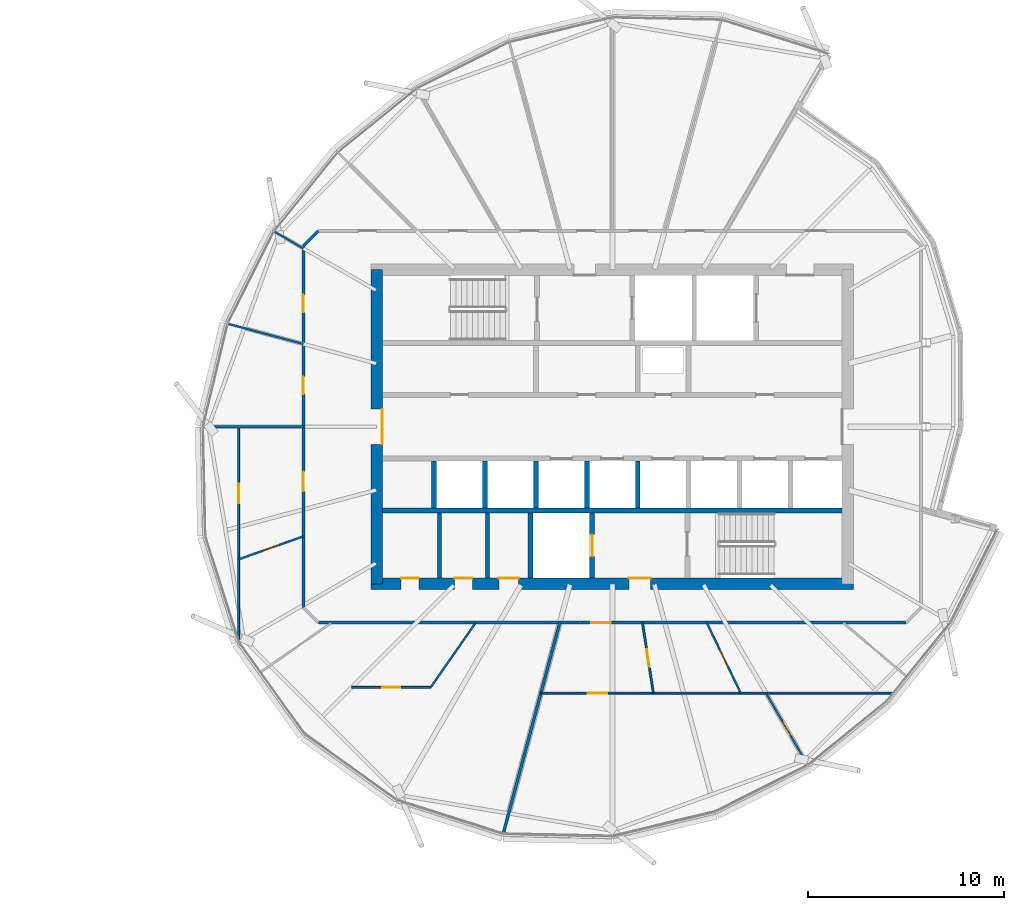
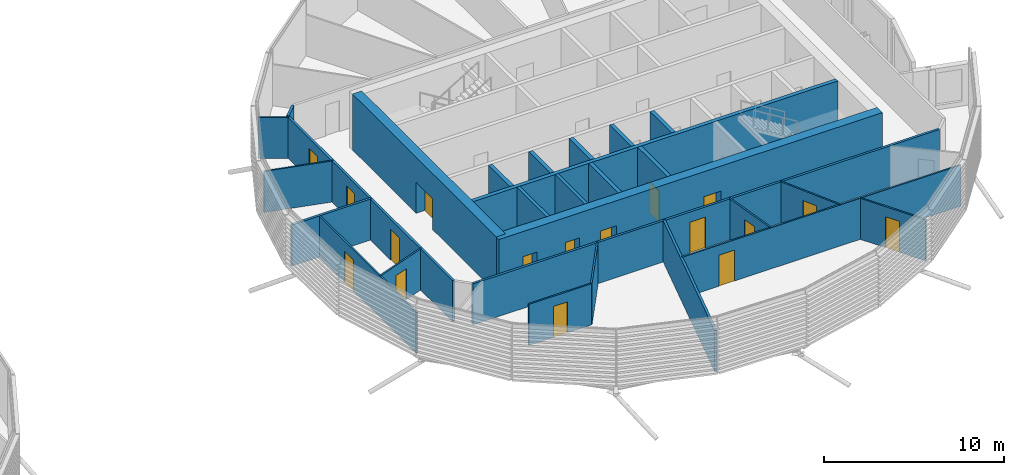
# One storey, part 21 of 37: 28 walls, 17 doors, 17 openings.
"""IFC4 building model written with IfcOpenShell, lengths in metres."""

import ifcopenshell
import ifcopenshell.guid

model = None  # the IFC model being written
_history = None  # IfcOwnerHistory: only IFC2X3 demands one
_inside = {}  # id of a spatial element -> (the spatial element, [elements in it])
_under = {}  # id of a project, library or spatial element -> (it, [spatial elements below it])
_declared = {}  # id of a project -> (the project, [libraries it declares])
_typed = {}  # id of a type object -> (the type object, [elements of that type])
_made_of = {}  # id of a material, layer set ... -> (it, [elements and type objects made of it])


def new_model(schema):
    """Start an empty IFC model of exactly this schema.

    Asked for "IFC4X3", IfcOpenShell would pick the latest addendum, in which some entities
    have other attributes; the version numbers below select the first issue.
    IFC2X3 requires an IfcOwnerHistory on every rooted entity: one is made here for all.
    """
    global model, _history
    if schema == "IFC4X3":
        model = ifcopenshell.file(schema_version=(4, 3, 0, 0))
    else:
        model = ifcopenshell.file(schema=schema)
    _inside.clear()
    _under.clear()
    _declared.clear()
    _typed.clear()
    _made_of.clear()
    _history = None
    if model.schema == "IFC2X3":
        org = make("IfcOrganization", Name="unknown")
        user = make(
            "IfcPersonAndOrganization",
            ThePerson=make("IfcPerson", FamilyName="unknown"),
            TheOrganization=org,
        )
        app = make(
            "IfcApplication",
            ApplicationDeveloper=org,
            Version="unknown",
            ApplicationFullName="unknown",
            ApplicationIdentifier="unknown",
        )
        _history = make(
            "IfcOwnerHistory",
            OwningUser=user,
            OwningApplication=app,
            ChangeAction="ADDED",
            CreationDate=0,
        )
    return model


def make(cls, **values):
    """One entity of the class cls with the attributes given. An attribute that is None is left unset."""
    return model.create_entity(
        cls, **{name: value for name, value in values.items() if value is not None}
    )


def rooted(cls, **values):
    """An entity with a GlobalId (a new one), such as an element, a storey or a relation."""
    return make(cls, GlobalId=ifcopenshell.guid.new(), OwnerHistory=_history, **values)


def si_unit(unit_type, name, prefix=None):
    """IfcSIUnit, for example si_unit("LENGTHUNIT", "METRE", prefix="MILLI")."""
    return make("IfcSIUnit", UnitType=unit_type, Prefix=prefix, Name=name)


def assignment(units):
    """IfcUnitAssignment: the units of a project."""
    return None if units is None else make("IfcUnitAssignment", Units=units)


def point(xyz):
    """IfcCartesianPoint."""
    return None if xyz is None else make("IfcCartesianPoint", Coordinates=xyz)


def direction(xyz):
    """IfcDirection."""
    return None if xyz is None else make("IfcDirection", DirectionRatios=xyz)


def frame(location, z_axis=None, x_axis=None):
    """IfcAxis2Placement3D, a coordinate frame: its origin and axes. An axis left out is left unset."""
    return make(
        "IfcAxis2Placement3D",
        Location=point(location),
        Axis=direction(z_axis),
        RefDirection=direction(x_axis),
    )


def frame_2d(location, x_axis=None):
    """IfcAxis2Placement2D, a coordinate frame in the plane: its origin and x axis."""
    return make(
        "IfcAxis2Placement2D", Location=point(location), RefDirection=direction(x_axis)
    )


def origin():
    """The frame at (0, 0, 0) with its axes left unset."""
    return frame((0.0, 0.0, 0.0))


def place(relative_to, where):
    """IfcLocalPlacement: puts the frame where relative to a parent placement (None: the world)."""
    return make(
        "IfcLocalPlacement", PlacementRelTo=relative_to, RelativePlacement=where
    )


def context(
    kind, dimensions, precision=None, world=None, true_north=None, identifier=None
):
    """IfcGeometricRepresentationContext, for example the 3D "Model" context."""
    return make(
        "IfcGeometricRepresentationContext",
        ContextIdentifier=identifier,
        ContextType=kind,
        CoordinateSpaceDimension=dimensions,
        Precision=precision,
        WorldCoordinateSystem=world,
        TrueNorth=true_north,
    )


def subcontext(parent, identifier, kind, view, scale=None):
    """IfcGeometricRepresentationSubContext, for example "Body" below "Model"."""
    return make(
        "IfcGeometricRepresentationSubContext",
        ContextIdentifier=identifier,
        ContextType=kind,
        ParentContext=parent,
        TargetScale=scale,
        TargetView=view,
    )


def project(units=None, contexts=None):
    """IfcProject with its units and contexts."""
    return rooted(
        "IfcProject",
        Name="project",
        RepresentationContexts=contexts,
        UnitsInContext=assignment(units),
    )


def spatial(cls, under=None, at=None, **own):
    """A site, building, storey or space (cls), placed at a placement, below another one or the project."""
    s = rooted(cls, ObjectPlacement=at, **own)
    if under is not None:
        _under.setdefault(under.id(), (under, []))[1].append(s)
    return s


def profile(cls, at=None, kind="AREA", **sizes):
    """A parametric profile (cls). Its sizes go by their IFC names, for example OverallWidth=200.0."""
    return make(cls, ProfileType=kind, Position=at, **sizes)


def rectangle(**sizes):
    """IfcRectangleProfileDef."""
    return profile("IfcRectangleProfileDef", **sizes)


def extrude(swept, where, along, depth):
    """IfcExtrudedAreaSolid: the profile swept, set in the frame where, extruded along a direction by depth."""
    return make(
        "IfcExtrudedAreaSolid",
        SweptArea=swept,
        Position=where,
        ExtrudedDirection=direction(along),
        Depth=depth,
    )


def shape(context_of_items, identifier, shape_type, items):
    """IfcShapeRepresentation: the items that make up one representation, for example the "Body"."""
    return make(
        "IfcShapeRepresentation",
        ContextOfItems=context_of_items,
        RepresentationIdentifier=identifier,
        RepresentationType=shape_type,
        Items=items,
    )


def material(Name=None, Category=None):
    """IfcMaterial."""
    return make("IfcMaterial", Name=Name, Category=Category)


def layer(
    of_material, thickness, ventilated=None, Name=None, Category=None, Priority=None
):
    """IfcMaterialLayer: one layer of a wall or slab, of a material (None: an air gap)."""
    return make(
        "IfcMaterialLayer",
        Material=of_material,
        LayerThickness=thickness,
        IsVentilated=ventilated,
        Name=Name,
        Category=Category,
        Priority=Priority,
    )


def layer_set(layers, Name=None):
    """IfcMaterialLayerSet."""
    return make("IfcMaterialLayerSet", MaterialLayers=layers, LayerSetName=Name)


def made_of(thing, what):
    """Note that an element or type object is made of a material, layer set ...; save() writes the relation."""
    if what is not None:
        _made_of.setdefault(what.id(), (what, []))[1].append(thing)
    return thing


def type_object(cls, material=None, **own):
    """A type object (cls), such as IfcWallType, which elements share."""
    return made_of(rooted(cls, **own), material)


def element(
    cls,
    number,
    at=None,
    inside=None,
    cuts=None,
    type_object=None,
    material=None,
    context=None,
    identifier="Body",
    shape_type=None,
    held_by="IfcProductDefinitionShape",
    body=None,
    shapes=None,
    **own,
):
    """One element of the class cls, such as IfcWall. Its Tag is "e" and its number.

    at: its placement. inside: the storey or other place that contains it. cuts: it is an
    opening in that element (IfcRelVoidsElement). A single representation is given by context,
    identifier, shape_type and body (its items); several are given by shapes. held_by: the class
    of the entity that holds the representations. save() writes the other relations.
    """
    e = rooted(cls, Tag="e%d" % number, ObjectPlacement=at, **own)
    if body is not None:
        shapes = [shape(context, identifier, shape_type, body)]
    if shapes is not None:
        e.Representation = make(held_by, Representations=shapes)
    if inside is not None:
        _inside.setdefault(inside.id(), (inside, []))[1].append(e)
    if cuts is not None:
        rooted(
            "IfcRelVoidsElement", RelatingBuildingElement=cuts, RelatedOpeningElement=e
        )
    if type_object is not None:
        _typed.setdefault(type_object.id(), (type_object, []))[1].append(e)
    return made_of(e, material)


def fill(opening, filler):
    """IfcRelFillsElement: the door or window that sits in an opening."""
    return rooted(
        "IfcRelFillsElement",
        RelatingOpeningElement=opening,
        RelatedBuildingElement=filler,
    )


def aggregate(whole, parts):
    """IfcRelAggregates: a whole, such as a stair, and the parts it consists of."""
    return rooted("IfcRelAggregates", RelatingObject=whole, RelatedObjects=parts)


def save(model, path):
    """Write the relations noted so far, then the file.

    IfcRelAggregates (storeys below a building ...), IfcRelContainedInSpatialStructure (elements
    in a storey), IfcRelDefinesByType, IfcRelAssociatesMaterial and IfcRelDeclares: one each for
    every whole, place, type object, material and project.
    """
    for whole, parts in _under.values():
        aggregate(whole, parts)
    for where, things in _inside.values():
        rooted(
            "IfcRelContainedInSpatialStructure",
            RelatedElements=things,
            RelatingStructure=where,
        )
    for kind, things in _typed.values():
        rooted("IfcRelDefinesByType", RelatedObjects=things, RelatingType=kind)
    for what, things in _made_of.values():
        rooted("IfcRelAssociatesMaterial", RelatedObjects=things, RelatingMaterial=what)
    for by, libraries in _declared.values():
        rooted("IfcRelDeclares", RelatingContext=by, RelatedDefinitions=libraries)
    model.write(path)


model = new_model("IFC4")

# Units and contexts
model_context = context("Model", 3, precision=1e-05, world=origin(), true_north=direction((0.0, 1.0)))
body_context = subcontext(model_context, "Body", "Model", "MODEL_VIEW")
ifc_project = project(units=[si_unit("LENGTHUNIT", "METRE"), si_unit("AREAUNIT", "SQUARE_METRE"), si_unit("VOLUMEUNIT", "CUBIC_METRE"), si_unit("PLANEANGLEUNIT", "RADIAN"), si_unit("MASSUNIT", "GRAM", prefix="KILO")], contexts=[model_context])

# Site, building, storey
site_placement = place(None, origin())
site = spatial("IfcSite", under=ifc_project, at=site_placement, CompositionType="ELEMENT")
building_placement = place(site_placement, origin())
building = spatial("IfcBuilding", under=site, at=building_placement, Name="Rimbun Link Towers", CompositionType="ELEMENT")
storey_placement = place(building_placement, frame((0.0, 0.0, 177.89990234375)))
storey = spatial("IfcBuildingStorey", under=building, at=storey_placement, Name="L43", CompositionType="ELEMENT", Elevation=177.89990234375)

# Walls
ifc_material_1 = material(Name="Masonry blockwork", Category="masonry")
ifc_layer_1 = layer(ifc_material_1, 0.199951171875)
ifc_layer_set_1 = layer_set([ifc_layer_1], Name="Core partition 200")
wall_type_1 = type_object("IfcWallType", Name="Core partition 200", PredefinedType="PARTITIONING", material=ifc_layer_set_1)
for number, where, z_axis, x_axis, name in (
    (1, (22.949951171875, -4.39990234375, 0.0), (0.0, 0.0, 1.0), (0.0, -1.0, 0.0), "L43 T2 core wall C1"),
    (2, (25.39990234375, -4.39990234375, 0.0), (0.0, 0.0, 1.0), (0.0, -1.0, 0.0), "L43 T2 core wall C2"),
):
    element("IfcWall", number, at=place(storey_placement, frame(where, z_axis=z_axis, x_axis=x_axis)), inside=storey, type_object=wall_type_1, Name=name, PredefinedType="PARTITIONING", context=body_context, shape_type="SweptSolid", body=[
        extrude(rectangle(XDim=3.300048828125, YDim=0.199951171875, at=frame_2d((1.64990234375, 0.0))), origin(), (0.0, 0.0, 1.0), 3.800048828125),
    ])

# Wall, openings, doors
ifc_material_2 = material(Name="Concrete C60/75", Category="concrete")
ifc_layer_2 = layer(ifc_material_2, 0.60009765625)
ifc_layer_set_2 = layer_set([ifc_layer_2], Name="Core shear wall 600")
wall_type_2 = type_object("IfcWallType", Name="Core shear wall 600", PredefinedType="SHEAR", material=ifc_layer_set_2)
wall_1_placement = place(storey_placement, frame((19.449951171875, -8.0, 0.0), z_axis=(0.0, 0.0, 1.0), x_axis=(1.0, 0.0, 0.0)))
wall_1 = element("IfcWall", 3, at=wall_1_placement, inside=storey, type_object=wall_type_2, Name="L43 T2 core wall S", PredefinedType="SHEAR", context=body_context, shape_type="SweptSolid", body=[
    extrude(rectangle(XDim=24.60009765625, YDim=0.60009765625, at=frame_2d((12.300048828125, 0.0))), origin(), (0.0, 0.0, 1.0), 3.800048828125),
])
opening_1_placement = place(wall_1_placement, frame((13.14990234375, 0.0, 0.0)))
opening_1 = element("IfcOpeningElement", 4, at=opening_1_placement, cuts=wall_1, Name="Opening C2DCF01S", PredefinedType="OPENING", context=body_context, shape_type="SweptSolid", body=[
    extrude(rectangle(XDim=1.10009765625, YDim=2.10009765625, at=frame_2d((0.550048828125, 1.050048828125))), frame((0.0, 0.31005859375, 0.0), z_axis=(0.0, -1.0, 0.0), x_axis=(1.0, 0.0, 0.0)), (0.0, 0.0, 1.0), 0.6201171875),
])
opening_2_placement = place(wall_1_placement, frame((1.550048828125, 0.0, 0.0)))
opening_2 = element("IfcOpeningElement", 5, at=opening_2_placement, cuts=wall_1, Name="Opening C2DWC02S", PredefinedType="OPENING", context=body_context, shape_type="SweptSolid", body=[
    extrude(rectangle(XDim=0.89990234375, YDim=2.10009765625, at=frame_2d((0.449951171875, 1.050048828125))), frame((0.0, 0.31005859375, 0.0), z_axis=(0.0, -1.0, 0.0), x_axis=(1.0, 0.0, 0.0)), (0.0, 0.0, 1.0), 0.6201171875),
])
opening_3_placement = place(wall_1_placement, frame((4.27490234375, 0.0, 0.0)))
opening_3 = element("IfcOpeningElement", 6, at=opening_3_placement, cuts=wall_1, Name="Opening C2DWC03S", PredefinedType="OPENING", context=body_context, shape_type="SweptSolid", body=[
    extrude(rectangle(XDim=0.89990234375, YDim=2.10009765625, at=frame_2d((0.449951171875, 1.050048828125))), frame((0.0, 0.31005859375, 0.0), z_axis=(0.0, -1.0, 0.0), x_axis=(1.0, 0.0, 0.0)), (0.0, 0.0, 1.0), 0.6201171875),
])
opening_4_placement = place(wall_1_placement, frame((6.52490234375, 0.0, 0.0)))
opening_4 = element("IfcOpeningElement", 7, at=opening_4_placement, cuts=wall_1, Name="Opening C2DAW04S", PredefinedType="OPENING", context=body_context, shape_type="SweptSolid", body=[
    extrude(rectangle(XDim=1.0, YDim=2.10009765625, at=frame_2d((0.5, 1.050048828125))), frame((0.0, 0.31005859375, 0.0), z_axis=(0.0, -1.0, 0.0), x_axis=(1.0, 0.0, 0.0)), (0.0, 0.0, 1.0), 0.6201171875),
])
ifc_material_3 = material(Name="Timber", Category="wood")
door_type_1 = type_object("IfcDoorType", Name="Accessible WC door", OperationType="SINGLE_SWING_LEFT", PredefinedType="DOOR", material=ifc_material_3)
door_1_placement = place(opening_4_placement, origin())
door_1 = element("IfcDoor", 8, at=door_1_placement, inside=storey, type_object=door_type_1, Name="L43 T2 accessible wc door", OperationType="SINGLE_SWING_RIGHT", OverallHeight=2.10009765625, OverallWidth=1.0, PredefinedType="DOOR", context=body_context, shape_type="SweptSolid", body=[
    extrude(rectangle(XDim=1.0, YDim=2.10009765625, at=frame_2d((0.5, 1.050048828125))), frame((0.0, 0.2998046875, 0.0), z_axis=(0.0, -1.0, 0.0), x_axis=(1.0, 0.0, 0.0)), (0.0, 0.0, 1.0), 0.050048828125),
])
fill(opening_4, door_1)
ifc_material_4 = material(Name="Steel fire door set", Category="steel")
door_type_2 = type_object("IfcDoorType", Name="Core fire door single", OperationType="SINGLE_SWING_LEFT", PredefinedType="DOOR", material=ifc_material_4)
door_2_placement = place(opening_1_placement, origin())
door_2 = element("IfcDoor", 9, at=door_2_placement, inside=storey, type_object=door_type_2, Name="L43 T2 firefighting lobby s door", OperationType="SINGLE_SWING_RIGHT", OverallHeight=2.10009765625, OverallWidth=1.10009765625, PredefinedType="DOOR", context=body_context, shape_type="SweptSolid", body=[
    extrude(rectangle(XDim=1.10009765625, YDim=2.10009765625, at=frame_2d((0.550048828125, 1.050048828125))), frame((0.0, 0.2998046875, 0.0), z_axis=(0.0, -1.0, 0.0), x_axis=(1.0, 0.0, 0.0)), (0.0, 0.0, 1.0), 0.050048828125),
])
fill(opening_1, door_2)
ifc_material_5 = material(Name="Timber", Category="wood")
door_type_3 = type_object("IfcDoorType", Name="WC door", OperationType="SINGLE_SWING_LEFT", PredefinedType="DOOR", material=ifc_material_5)
door_3_placement = place(opening_2_placement, origin())
door_3 = element("IfcDoor", 10, at=door_3_placement, inside=storey, type_object=door_type_3, Name="L43 T2 male wc door", OperationType="SINGLE_SWING_LEFT", OverallHeight=2.10009765625, OverallWidth=0.89990234375, PredefinedType="DOOR", context=body_context, shape_type="SweptSolid", body=[
    extrude(rectangle(XDim=0.89990234375, YDim=2.10009765625, at=frame_2d((0.449951171875, 1.050048828125))), frame((0.0, 0.2998046875, 0.0), z_axis=(0.0, -1.0, 0.0), x_axis=(1.0, 0.0, 0.0)), (0.0, 0.0, 1.0), 0.050048828125),
])
fill(opening_2, door_3)
door_4_placement = place(opening_3_placement, origin())
door_4 = element("IfcDoor", 11, at=door_4_placement, inside=storey, type_object=door_type_3, Name="L43 T2 female wc door", OperationType="SINGLE_SWING_RIGHT", OverallHeight=2.10009765625, OverallWidth=0.89990234375, PredefinedType="DOOR", context=body_context, shape_type="SweptSolid", body=[
    extrude(rectangle(XDim=0.89990234375, YDim=2.10009765625, at=frame_2d((0.449951171875, 1.050048828125))), frame((0.0, 0.2998046875, 0.0), z_axis=(0.0, -1.0, 0.0), x_axis=(1.0, 0.0, 0.0)), (0.0, 0.0, 1.0), 0.050048828125),
])
fill(opening_3, door_4)

# Wall, opening, door
wall_2_placement = place(storey_placement, frame((19.75, -8.0, 0.0), z_axis=(0.0, 0.0, 1.0), x_axis=(0.0, 1.0, 0.0)))
wall_2 = element("IfcWall", 12, at=wall_2_placement, inside=storey, type_object=wall_type_2, Name="L43 T2 core wall W", PredefinedType="SHEAR", context=body_context, shape_type="SweptSolid", body=[
    extrude(rectangle(XDim=16.0, YDim=0.60009765625, at=frame_2d((8.0, 0.0))), origin(), (0.0, 0.0, 1.0), 3.800048828125),
])
opening_5_placement = place(wall_2_placement, frame((7.10009765625, 0.0, 0.0)))
opening_5 = element("IfcOpeningElement", 13, at=opening_5_placement, cuts=wall_2, Name="Opening C2DCL01W", PredefinedType="OPENING", context=body_context, shape_type="SweptSolid", body=[
    extrude(rectangle(XDim=1.800048828125, YDim=2.10009765625, at=frame_2d((0.89990234375, 1.050048828125))), frame((0.0, 0.31005859375, 0.0), z_axis=(0.0, -1.0, 0.0), x_axis=(1.0, 0.0, 0.0)), (0.0, 0.0, 1.0), 0.6201171875),
])
ifc_material_6 = material(Name="Steel fire door set", Category="steel")
door_type_4 = type_object("IfcDoorType", Name="Core lobby door double", OperationType="DOUBLE_DOOR_SINGLE_SWING", PredefinedType="DOOR", material=ifc_material_6)
door_5_placement = place(opening_5_placement, origin())
door_5 = element("IfcDoor", 14, at=door_5_placement, inside=storey, type_object=door_type_4, Name="L43 T2 lift lobby door", OperationType="DOUBLE_DOOR_SINGLE_SWING", OverallHeight=2.10009765625, OverallWidth=1.800048828125, PredefinedType="DOOR", context=body_context, shape_type="SweptSolid", body=[
    extrude(rectangle(XDim=1.800048828125, YDim=2.10009765625, at=frame_2d((0.89990234375, 1.050048828125))), frame((0.0, -0.25, 0.0), z_axis=(0.0, -1.0, 0.0), x_axis=(1.0, 0.0, 0.0)), (0.0, 0.0, 1.0), 0.050048828125),
])
fill(opening_5, door_5)

ifc_material_7 = material(Name="Plasterboard on steel stud, mineral wool", Category="steel")
ifc_layer_3 = layer(ifc_material_7, 0.14990234375)
ifc_layer_set_3 = layer_set([ifc_layer_3], Name="Corridor wall EI 30 150 mm")
wall_type_3 = type_object("IfcWallType", Name="Corridor wall EI 30 150 mm", PredefinedType="PARTITIONING", material=ifc_layer_set_3)
wall_3_placement = place(storey_placement, frame((46.7236328125, -9.97509765625, 0.0), z_axis=(0.0, 0.0, 1.0), x_axis=(-1.0, 0.0, 0.0)))
wall_3 = element("IfcWall", 15, at=wall_3_placement, inside=storey, type_object=wall_type_3, Name="Corridor wall EI 30 150 mm", PredefinedType="PARTITIONING", context=body_context, shape_type="SweptSolid", body=[
    extrude(rectangle(XDim=29.947265625, YDim=0.14990234375, at=frame_2d((14.9736328125, 0.0))), origin(), (0.0, 0.0, 1.0), 2.7890625),
])
opening_6_placement = place(wall_3_placement, frame((15.04052734375, 0.0, 0.0)))
opening_6 = element("IfcOpeningElement", 16, at=opening_6_placement, cuts=wall_3, Name="Opening D01", PredefinedType="OPENING", context=body_context, shape_type="SweptSolid", body=[
    extrude(rectangle(XDim=1.0, YDim=2.10009765625, at=frame_2d((0.5, 1.050048828125))), frame((0.0, 0.0849609375, 0.0), z_axis=(0.0, -1.0, 0.0), x_axis=(1.0, 0.0, 0.0)), (0.0, 0.0, 1.0), 0.169921875),
])
ifc_material_8 = material(Name="Fire-resisting timber door leaf", Category="wood")
door_type_5 = type_object("IfcDoorType", Name="Fire door FD30S 1000", OperationType="NOTDEFINED", PredefinedType="DOOR", material=ifc_material_8)
door_6_placement = place(opening_6_placement, origin())
door_6 = element("IfcDoor", 17, at=door_6_placement, inside=storey, type_object=door_type_5, Name="Fire door FD30S 1000 to Tenant lobby", OperationType="SINGLE_SWING_RIGHT", OverallHeight=2.10009765625, OverallWidth=1.0, PredefinedType="DOOR", context=body_context, shape_type="SweptSolid", body=[
    extrude(rectangle(XDim=1.0, YDim=2.10009765625, at=frame_2d((0.5, 1.050048828125))), frame((0.0, 0.02490234375, 0.0), z_axis=(0.0, -1.0, 0.0), x_axis=(1.0, 0.0, 0.0)), (0.0, 0.0, 1.0), 0.050048828125),
])
fill(opening_6, door_6)

# Wall, openings, doors
wall_4_placement = place(storey_placement, frame((16.014892578125, -9.213623046875, 0.0), z_axis=(0.0, 0.0, 1.0), x_axis=(0.0, 1.0, 0.0)))
wall_4 = element("IfcWall", 18, at=wall_4_placement, inside=storey, type_object=wall_type_3, Name="Corridor wall EI 30 150 mm", PredefinedType="PARTITIONING", context=body_context, shape_type="SweptSolid", body=[
    extrude(rectangle(XDim=18.42724609375, YDim=0.14990234375, at=frame_2d((9.213623046875, 0.0))), origin(), (0.0, 0.0, 1.0), 2.7890625),
])
opening_7_placement = place(wall_4_placement, frame((15.036865234375, 0.0, 0.0)))
opening_7 = element("IfcOpeningElement", 19, at=opening_7_placement, cuts=wall_4, Name="Opening D02", PredefinedType="OPENING", context=body_context, shape_type="SweptSolid", body=[
    extrude(rectangle(XDim=0.89990234375, YDim=2.10009765625, at=frame_2d((0.449951171875, 1.050048828125))), frame((0.0, 0.0849609375, 0.0), z_axis=(0.0, -1.0, 0.0), x_axis=(1.0, 0.0, 0.0)), (0.0, 0.0, 1.0), 0.169921875),
])
opening_8_placement = place(wall_4_placement, frame((10.871826171875, 0.0, 0.0)))
opening_8 = element("IfcOpeningElement", 20, at=opening_8_placement, cuts=wall_4, Name="Opening D02", PredefinedType="OPENING", context=body_context, shape_type="SweptSolid", body=[
    extrude(rectangle(XDim=0.89990234375, YDim=2.10009765625, at=frame_2d((0.449951171875, 1.050048828125))), frame((0.0, 0.0849609375, 0.0), z_axis=(0.0, -1.0, 0.0), x_axis=(1.0, 0.0, 0.0)), (0.0, 0.0, 1.0), 0.169921875),
])
opening_9_placement = place(wall_4_placement, frame((5.922607421875, 0.0, 0.0)))
opening_9 = element("IfcOpeningElement", 21, at=opening_9_placement, cuts=wall_4, Name="Opening D01", PredefinedType="OPENING", context=body_context, shape_type="SweptSolid", body=[
    extrude(rectangle(XDim=1.0, YDim=2.10009765625, at=frame_2d((0.5, 1.050048828125))), frame((0.0, 0.0849609375, 0.0), z_axis=(0.0, -1.0, 0.0), x_axis=(1.0, 0.0, 0.0)), (0.0, 0.0, 1.0), 0.169921875),
])
door_7_placement = place(opening_9_placement, origin())
door_7 = element("IfcDoor", 22, at=door_7_placement, inside=storey, type_object=door_type_5, Name="Fire door FD30S 1000 to Tenant lobby", OperationType="SINGLE_SWING_LEFT", OverallHeight=2.10009765625, OverallWidth=1.0, PredefinedType="DOOR", context=body_context, shape_type="SweptSolid", body=[
    extrude(rectangle(XDim=1.0, YDim=2.10009765625, at=frame_2d((0.5, 1.050048828125))), frame((0.0, 0.02490234375, 0.0), z_axis=(0.0, -1.0, 0.0), x_axis=(1.0, 0.0, 0.0)), (0.0, 0.0, 1.0), 0.050048828125),
])
fill(opening_9, door_7)
ifc_material_9 = material(Name="Fire-resisting timber door leaf", Category="wood")
door_type_6 = type_object("IfcDoorType", Name="Fire door FD30S 900", OperationType="NOTDEFINED", PredefinedType="DOOR", material=ifc_material_9)
door_8_placement = place(opening_7_placement, origin())
door_8 = element("IfcDoor", 23, at=door_8_placement, inside=storey, type_object=door_type_6, Name="Fire door FD30S 900 to Communications room", OperationType="SINGLE_SWING_LEFT", OverallHeight=2.10009765625, OverallWidth=0.89990234375, PredefinedType="DOOR", context=body_context, shape_type="SweptSolid", body=[
    extrude(rectangle(XDim=0.89990234375, YDim=2.10009765625, at=frame_2d((0.449951171875, 1.050048828125))), frame((0.0, 0.02490234375, 0.0), z_axis=(0.0, -1.0, 0.0), x_axis=(1.0, 0.0, 0.0)), (0.0, 0.0, 1.0), 0.050048828125),
])
fill(opening_7, door_8)
door_9_placement = place(opening_8_placement, origin())
door_9 = element("IfcDoor", 24, at=door_9_placement, inside=storey, type_object=door_type_6, Name="Fire door FD30S 900 to Trading floor", OperationType="SINGLE_SWING_RIGHT", OverallHeight=2.10009765625, OverallWidth=0.89990234375, PredefinedType="DOOR", context=body_context, shape_type="SweptSolid", body=[
    extrude(rectangle(XDim=0.89990234375, YDim=2.10009765625, at=frame_2d((0.449951171875, 1.050048828125))), frame((0.0, 0.02490234375, 0.0), z_axis=(0.0, -1.0, 0.0), x_axis=(1.0, 0.0, 0.0)), (0.0, 0.0, 1.0), 0.050048828125),
])
fill(opening_8, door_9)

# Walls
wall_5_placement = place(storey_placement, frame((16.7763671875, 9.97509765625, 0.0), z_axis=(0.0, 0.0, 1.0), x_axis=(-0.707106781187, -0.707106781187, 0.0)))
element("IfcWall", 25, at=wall_5_placement, inside=storey, type_object=wall_type_3, Name="Corridor wall EI 30 150 mm", PredefinedType="PARTITIONING", context=body_context, shape_type="SweptSolid", body=[
    extrude(rectangle(XDim=1.076904296875, YDim=0.14990234375, at=frame_2d((0.53857421875, 0.0))), origin(), (0.0, 0.0, 1.0), 2.7890625),
])
ifc_material_10 = material(Name="Plasterboard on steel stud", Category="steel")
ifc_layer_4 = layer(ifc_material_10, 0.10009765625)
ifc_layer_set_4 = layer_set([ifc_layer_4], Name="Plasterboard partition 100 mm")
wall_type_4 = type_object("IfcWallType", Name="Plasterboard partition 100 mm", PredefinedType="PARTITIONING", material=ifc_layer_set_4)
wall_6_placement = place(storey_placement, frame((14.52978515625, 9.942138671875, 0.0), z_axis=(0.0, 0.0, 1.0), x_axis=(0.866026740756, -0.49999768429, 0.0)))
element("IfcWall", 26, at=wall_6_placement, inside=storey, type_object=wall_type_4, Name="Plasterboard partition 100 mm", PredefinedType="PARTITIONING", context=body_context, shape_type="SweptSolid", body=[
    extrude(rectangle(XDim=1.71484375, YDim=0.10009765625, at=frame_2d((0.857421875, 0.0))), origin(), (0.0, 0.0, 1.0), 2.7890625),
])
wall_7_placement = place(storey_placement, frame((12.17138671875, 5.24609375, 0.0), z_axis=(0.0, 0.0, 1.0), x_axis=(0.965915458572, -0.258857734848, 0.0)))
element("IfcWall", 27, at=wall_7_placement, inside=storey, type_object=wall_type_4, Name="Plasterboard partition 100 mm", PredefinedType="PARTITIONING", context=body_context, shape_type="SweptSolid", body=[
    extrude(rectangle(XDim=3.979248046875, YDim=0.10009765625, at=frame_2d((1.98974609375, 0.0))), origin(), (0.0, 0.0, 1.0), 2.7890625),
])

# Wall, opening, door
wall_8_placement = place(storey_placement, frame((16.014892578125, -5.582275390625, 0.0), z_axis=(0.0, 0.0, 1.0), x_axis=(-0.942427745481, -0.334409845171, 0.0)))
wall_8 = element("IfcWall", 28, at=wall_8_placement, inside=storey, type_object=wall_type_4, Name="Plasterboard partition 100 mm", PredefinedType="PARTITIONING", context=body_context, shape_type="SweptSolid", body=[
    extrude(rectangle(XDim=3.50146484375, YDim=0.10009765625, at=frame_2d((1.750732421875, 0.0))), origin(), (0.0, 0.0, 1.0), 2.7890625),
])
opening_10_placement = place(wall_8_placement, frame((1.30078125, 0.0, 0.0)))
opening_10 = element("IfcOpeningElement", 29, at=opening_10_placement, cuts=wall_8, Name="Opening D04", PredefinedType="OPENING", context=body_context, shape_type="SweptSolid", body=[
    extrude(rectangle(XDim=0.89990234375, YDim=2.10009765625, at=frame_2d((0.449951171875, 1.050048828125))), frame((0.0, 0.06005859375, 0.0), z_axis=(0.0, -1.0, 0.0), x_axis=(1.0, 0.0, 0.0)), (0.0, 0.0, 1.0), 0.1201171875),
])
ifc_material_11 = material(Name="Timber door leaf", Category="wood")
door_type_7 = type_object("IfcDoorType", Name="Flush door 900", OperationType="NOTDEFINED", PredefinedType="DOOR", material=ifc_material_11)
door_10_placement = place(opening_10_placement, origin())
door_10 = element("IfcDoor", 30, at=door_10_placement, inside=storey, type_object=door_type_7, Name="Flush door 900 to Huddle room", OperationType="SINGLE_SWING_RIGHT", OverallHeight=2.10009765625, OverallWidth=0.89990234375, PredefinedType="DOOR", context=body_context, shape_type="SweptSolid", body=[
    extrude(rectangle(XDim=0.89990234375, YDim=2.10009765625, at=frame_2d((0.449951171875, 1.050048828125))), frame((0.0, 0.02490234375, 0.0), z_axis=(0.0, -1.0, 0.0), x_axis=(1.0, 0.0, 0.0)), (0.0, 0.0, 1.0), 0.050048828125),
])
fill(opening_10, door_10)

wall_9_placement = place(storey_placement, frame((12.715087890625, -10.852294921875, 0.0), z_axis=(0.0, 0.0, 1.0), x_axis=(0.0, 1.0, 0.0)))
wall_9 = element("IfcWall", 31, at=wall_9_placement, inside=storey, type_object=wall_type_4, Name="Plasterboard partition 100 mm", PredefinedType="PARTITIONING", context=body_context, shape_type="SweptSolid", body=[
    extrude(rectangle(XDim=10.852294921875, YDim=0.10009765625, at=frame_2d((5.42626953125, 0.0))), origin(), (0.0, 0.0, 1.0), 2.7890625),
])
opening_11_placement = place(wall_9_placement, frame((6.960693359375, 0.0, 0.0)))
opening_11 = element("IfcOpeningElement", 32, at=opening_11_placement, cuts=wall_9, Name="Opening D03", PredefinedType="OPENING", context=body_context, shape_type="SweptSolid", body=[
    extrude(rectangle(XDim=1.0, YDim=2.10009765625, at=frame_2d((0.5, 1.050048828125))), frame((0.0, 0.06005859375, 0.0), z_axis=(0.0, -1.0, 0.0), x_axis=(1.0, 0.0, 0.0)), (0.0, 0.0, 1.0), 0.1201171875),
])
ifc_material_12 = material(Name="Timber door leaf", Category="wood")
door_type_8 = type_object("IfcDoorType", Name="Flush door 1000", OperationType="NOTDEFINED", PredefinedType="DOOR", material=ifc_material_12)
door_11_placement = place(opening_11_placement, origin())
door_11 = element("IfcDoor", 33, at=door_11_placement, inside=storey, type_object=door_type_8, Name="Flush door 1000 to Open office", OperationType="SINGLE_SWING_LEFT", OverallHeight=2.10009765625, OverallWidth=1.0, PredefinedType="DOOR", context=body_context, shape_type="SweptSolid", body=[
    extrude(rectangle(XDim=1.0, YDim=2.10009765625, at=frame_2d((0.5, 1.050048828125))), frame((0.0, 0.02490234375, 0.0), z_axis=(0.0, -1.0, 0.0), x_axis=(1.0, 0.0, 0.0)), (0.0, 0.0, 1.0), 0.050048828125),
])
fill(opening_11, door_11)

wall_10_placement = place(storey_placement, frame((22.49853515625, -13.27490234375, 0.0), z_axis=(0.0, 0.0, 1.0), x_axis=(-1.0, 0.0, 0.0)))
wall_10 = element("IfcWall", 34, at=wall_10_placement, inside=storey, type_object=wall_type_4, Name="Plasterboard partition 100 mm", PredefinedType="PARTITIONING", context=body_context, shape_type="SweptSolid", body=[
    extrude(rectangle(XDim=4.0234375, YDim=0.10009765625, at=frame_2d((2.01171875, 0.0))), origin(), (0.0, 0.0, 1.0), 2.7890625),
])
opening_12_placement = place(wall_10_placement, frame((1.561767578125, 0.0, 0.0)))
opening_12 = element("IfcOpeningElement", 35, at=opening_12_placement, cuts=wall_10, Name="Opening D04", PredefinedType="OPENING", context=body_context, shape_type="SweptSolid", body=[
    extrude(rectangle(XDim=0.89990234375, YDim=2.10009765625, at=frame_2d((0.449951171875, 1.050048828125))), frame((0.0, 0.06005859375, 0.0), z_axis=(0.0, -1.0, 0.0), x_axis=(1.0, 0.0, 0.0)), (0.0, 0.0, 1.0), 0.1201171875),
])
door_12_placement = place(opening_12_placement, origin())
door_12 = element("IfcDoor", 36, at=door_12_placement, inside=storey, type_object=door_type_7, Name="Flush door 900 to Project room", OperationType="SINGLE_SWING_RIGHT", OverallHeight=2.10009765625, OverallWidth=0.89990234375, PredefinedType="DOOR", context=body_context, shape_type="SweptSolid", body=[
    extrude(rectangle(XDim=0.89990234375, YDim=2.10009765625, at=frame_2d((0.449951171875, 1.050048828125))), frame((0.0, 0.02490234375, 0.0), z_axis=(0.0, -1.0, 0.0), x_axis=(1.0, 0.0, 0.0)), (0.0, 0.0, 1.0), 0.050048828125),
])
fill(opening_12, door_12)

# Wall
wall_11_placement = place(storey_placement, frame((22.49853515625, -13.27490234375, 0.0), z_axis=(0.0, 0.0, 1.0), x_axis=(0.571782757762, 0.820405069418, 0.0)))
element("IfcWall", 37, at=wall_11_placement, inside=storey, type_object=wall_type_4, Name="Plasterboard partition 100 mm", PredefinedType="PARTITIONING", context=body_context, shape_type="SweptSolid", body=[
    extrude(rectangle(XDim=4.022216796875, YDim=0.10009765625, at=frame_2d((2.01123046875, 0.0))), origin(), (0.0, 0.0, 1.0), 2.7890625),
])

# Wall, opening, door
wall_12_placement = place(storey_placement, frame((33.2890625, -9.97509765625, 0.0), z_axis=(0.0, 0.0, 1.0), x_axis=(0.152485287228, -0.98830574074, 0.0)))
wall_12 = element("IfcWall", 38, at=wall_12_placement, inside=storey, type_object=wall_type_4, Name="Plasterboard partition 100 mm", PredefinedType="PARTITIONING", context=body_context, shape_type="SweptSolid", body=[
    extrude(rectangle(XDim=3.642333984375, YDim=0.10009765625, at=frame_2d((1.8212890625, 0.0))), origin(), (0.0, 0.0, 1.0), 2.7890625),
])
opening_13_placement = place(wall_12_placement, frame((1.371337890625, 0.0, 0.0)))
opening_13 = element("IfcOpeningElement", 39, at=opening_13_placement, cuts=wall_12, Name="Opening D04", PredefinedType="OPENING", context=body_context, shape_type="SweptSolid", body=[
    extrude(rectangle(XDim=0.89990234375, YDim=2.10009765625, at=frame_2d((0.449951171875, 1.050048828125))), frame((0.0, 0.06005859375, 0.0), z_axis=(0.0, -1.0, 0.0), x_axis=(1.0, 0.0, 0.0)), (0.0, 0.0, 1.0), 0.1201171875),
])
door_13_placement = place(opening_13_placement, origin())
door_13 = element("IfcDoor", 40, at=door_13_placement, inside=storey, type_object=door_type_7, Name="Flush door 900 to Huddle room", OperationType="SINGLE_SWING_RIGHT", OverallHeight=2.10009765625, OverallWidth=0.89990234375, PredefinedType="DOOR", context=body_context, shape_type="SweptSolid", body=[
    extrude(rectangle(XDim=0.89990234375, YDim=2.10009765625, at=frame_2d((0.449951171875, 1.050048828125))), frame((0.0, 0.02490234375, 0.0), z_axis=(0.0, -1.0, 0.0), x_axis=(1.0, 0.0, 0.0)), (0.0, 0.0, 1.0), 0.050048828125),
])
fill(opening_13, door_13)

wall_13_placement = place(storey_placement, frame((39.58740234375, -13.574951171875, 0.0), z_axis=(0.0, 0.0, 1.0), x_axis=(-1.0, 0.0, 0.0)))
wall_13 = element("IfcWall", 41, at=wall_13_placement, inside=storey, type_object=wall_type_4, Name="Plasterboard partition 100 mm", PredefinedType="PARTITIONING", context=body_context, shape_type="SweptSolid", body=[
    extrude(rectangle(XDim=11.474853515625, YDim=0.10009765625, at=frame_2d((5.7373046875, 0.0))), origin(), (0.0, 0.0, 1.0), 2.7890625),
])
opening_14_placement = place(wall_13_placement, frame((8.093994140625, 0.0, 0.0)))
opening_14 = element("IfcOpeningElement", 42, at=opening_14_placement, cuts=wall_13, Name="Opening D03", PredefinedType="OPENING", context=body_context, shape_type="SweptSolid", body=[
    extrude(rectangle(XDim=1.0, YDim=2.10009765625, at=frame_2d((0.5, 1.050048828125))), frame((0.0, 0.06005859375, 0.0), z_axis=(0.0, -1.0, 0.0), x_axis=(1.0, 0.0, 0.0)), (0.0, 0.0, 1.0), 0.1201171875),
])
door_14_placement = place(opening_14_placement, origin())
door_14 = element("IfcDoor", 43, at=door_14_placement, inside=storey, type_object=door_type_8, Name="Flush door 1000 to Open office", OperationType="SINGLE_SWING_LEFT", OverallHeight=2.10009765625, OverallWidth=1.0, PredefinedType="DOOR", context=body_context, shape_type="SweptSolid", body=[
    extrude(rectangle(XDim=1.0, YDim=2.10009765625, at=frame_2d((0.5, 1.050048828125))), frame((0.0, 0.02490234375, 0.0), z_axis=(0.0, -1.0, 0.0), x_axis=(1.0, 0.0, 0.0)), (0.0, 0.0, 1.0), 0.050048828125),
])
fill(opening_14, door_14)

wall_14_placement = place(storey_placement, frame((36.561279296875, -9.97509765625, 0.0), z_axis=(0.0, 0.0, 1.0), x_axis=(0.434487689798, -0.900677771133, 0.0)))
wall_14 = element("IfcWall", 44, at=wall_14_placement, inside=storey, type_object=wall_type_4, Name="Plasterboard partition 100 mm", PredefinedType="PARTITIONING", context=body_context, shape_type="SweptSolid", body=[
    extrude(rectangle(XDim=3.996826171875, YDim=0.10009765625, at=frame_2d((1.99853515625, 0.0))), origin(), (0.0, 0.0, 1.0), 2.7890625),
])
opening_15_placement = place(wall_14_placement, frame((1.548583984375, 0.0, 0.0)))
opening_15 = element("IfcOpeningElement", 45, at=opening_15_placement, cuts=wall_14, Name="Opening D04", PredefinedType="OPENING", context=body_context, shape_type="SweptSolid", body=[
    extrude(rectangle(XDim=0.89990234375, YDim=2.10009765625, at=frame_2d((0.449951171875, 1.050048828125))), frame((0.0, 0.06005859375, 0.0), z_axis=(0.0, -1.0, 0.0), x_axis=(1.0, 0.0, 0.0)), (0.0, 0.0, 1.0), 0.1201171875),
])
door_15_placement = place(opening_15_placement, origin())
door_15 = element("IfcDoor", 46, at=door_15_placement, inside=storey, type_object=door_type_7, Name="Flush door 900 to Huddle room", OperationType="SINGLE_SWING_LEFT", OverallHeight=2.10009765625, OverallWidth=0.89990234375, PredefinedType="DOOR", context=body_context, shape_type="SweptSolid", body=[
    extrude(rectangle(XDim=0.89990234375, YDim=2.10009765625, at=frame_2d((0.449951171875, 1.050048828125))), frame((0.0, 0.02490234375, 0.0), z_axis=(0.0, -1.0, 0.0), x_axis=(1.0, 0.0, 0.0)), (0.0, 0.0, 1.0), 0.050048828125),
])
fill(opening_15, door_15)

# Wall
wall_15_placement = place(storey_placement, frame((39.58740234375, -13.574951171875, 0.0), z_axis=(0.0, 0.0, 1.0), x_axis=(1.0, 0.0, 0.0)))
element("IfcWall", 47, at=wall_15_placement, inside=storey, type_object=wall_type_4, Name="Plasterboard partition 100 mm", PredefinedType="PARTITIONING", context=body_context, shape_type="SweptSolid", body=[
    extrude(rectangle(XDim=6.442138671875, YDim=0.10009765625, at=frame_2d((3.22119140625, 0.0))), origin(), (0.0, 0.0, 1.0), 2.7890625),
])

# Wall, opening, door
wall_16_placement = place(storey_placement, frame((39.58740234375, -13.574951171875, 0.0), z_axis=(0.0, 0.0, 1.0), x_axis=(0.500025366346, -0.866010758022, 0.0)))
wall_16 = element("IfcWall", 48, at=wall_16_placement, inside=storey, type_object=wall_type_4, Name="Plasterboard partition 100 mm", PredefinedType="PARTITIONING", context=body_context, shape_type="SweptSolid", body=[
    extrude(rectangle(XDim=4.209228515625, YDim=0.10009765625, at=frame_2d((2.1044921875, 0.0))), origin(), (0.0, 0.0, 1.0), 2.7890625),
])
opening_16_placement = place(wall_16_placement, frame((1.654541015625, 0.0, 0.0)))
opening_16 = element("IfcOpeningElement", 49, at=opening_16_placement, cuts=wall_16, Name="Opening D04", PredefinedType="OPENING", context=body_context, shape_type="SweptSolid", body=[
    extrude(rectangle(XDim=0.89990234375, YDim=2.10009765625, at=frame_2d((0.449951171875, 1.050048828125))), frame((0.0, 0.06005859375, 0.0), z_axis=(0.0, -1.0, 0.0), x_axis=(1.0, 0.0, 0.0)), (0.0, 0.0, 1.0), 0.1201171875),
])
door_16_placement = place(opening_16_placement, origin())
door_16 = element("IfcDoor", 50, at=door_16_placement, inside=storey, type_object=door_type_7, Name="Flush door 900 to Project room", OperationType="SINGLE_SWING_RIGHT", OverallHeight=2.10009765625, OverallWidth=0.89990234375, PredefinedType="DOOR", context=body_context, shape_type="SweptSolid", body=[
    extrude(rectangle(XDim=0.89990234375, YDim=2.10009765625, at=frame_2d((0.449951171875, 1.050048828125))), frame((0.0, 0.02490234375, 0.0), z_axis=(0.0, -1.0, 0.0), x_axis=(1.0, 0.0, 0.0)), (0.0, 0.0, 1.0), 0.050048828125),
])
fill(opening_16, door_16)

# Walls
ifc_material_13 = material(Name="Concrete C60/75", Category="concrete")
ifc_layer_5 = layer(ifc_material_13, 0.25)
ifc_layer_set_5 = layer_set([ifc_layer_5], Name="Shaft wall 250")
wall_type_5 = type_object("IfcWallType", Name="Shaft wall 250", PredefinedType="SHEAR", material=ifc_layer_set_5)
wall_17_placement = place(storey_placement, frame((20.050048828125, -4.27490234375, 0.0), z_axis=(0.0, 0.0, 1.0), x_axis=(1.0, 0.0, 0.0)))
element("IfcWall", 51, at=wall_17_placement, inside=storey, type_object=wall_type_5, Name="L43 T2 core wall BS", PredefinedType="SHEAR", context=body_context, shape_type="SweptSolid", body=[
    extrude(rectangle(XDim=23.39990234375, YDim=0.25, at=frame_2d((11.699951171875, 0.0))), origin(), (0.0, 0.0, 1.0), 3.800048828125),
])
for number, where, z_axis, x_axis, name in (
    (52, (22.66943359375, -4.14990234375, 0.0), (0.0, 0.0, 1.0), (0.0, 1.0, 0.0), "L43 T2 core wall DS0"),
    (53, (25.263916015625, -4.14990234375, 0.0), (0.0, 0.0, 1.0), (0.0, 1.0, 0.0), "L43 T2 core wall DS1"),
    (54, (27.8583984375, -4.14990234375, 0.0), (0.0, 0.0, 1.0), (0.0, 1.0, 0.0), "L43 T2 core wall DS2"),
    (55, (30.452880859375, -4.14990234375, 0.0), (0.0, 0.0, 1.0), (0.0, 1.0, 0.0), "L43 T2 core wall DS3"),
    (56, (33.047119140625, -4.14990234375, 0.0), (0.0, 0.0, 1.0), (0.0, 1.0, 0.0), "L43 T2 core wall DS4"),
):
    element("IfcWall", number, at=place(storey_placement, frame(where, z_axis=z_axis, x_axis=x_axis)), inside=storey, type_object=wall_type_5, Name=name, PredefinedType="SHEAR", context=body_context, shape_type="SweptSolid", body=[
        extrude(rectangle(XDim=2.39990234375, YDim=0.25, at=frame_2d((1.199951171875, 0.0))), origin(), (0.0, 0.0, 1.0), 3.800048828125),
    ])

# Wall, opening, door
wall_18_placement = place(storey_placement, frame((30.72509765625, -4.39990234375, 0.0), z_axis=(0.0, 0.0, 1.0), x_axis=(0.0, -1.0, 0.0)))
wall_18 = element("IfcWall", 57, at=wall_18_placement, inside=storey, type_object=wall_type_5, Name="L43 T2 core wall B2", PredefinedType="SHEAR", context=body_context, shape_type="SweptSolid", body=[
    extrude(rectangle(XDim=3.300048828125, YDim=0.25, at=frame_2d((1.64990234375, 0.0))), origin(), (0.0, 0.0, 1.0), 3.800048828125),
])
opening_17_placement = place(wall_18_placement, frame((1.10009765625, 0.0, 0.0)))
opening_17 = element("IfcOpeningElement", 58, at=opening_17_placement, cuts=wall_18, Name="Opening LD-T2-FF2", PredefinedType="OPENING", context=body_context, shape_type="SweptSolid", body=[
    extrude(rectangle(XDim=1.10009765625, YDim=2.10009765625, at=frame_2d((0.550048828125, 1.050048828125))), frame((0.0, 0.135009765625, 0.0), z_axis=(0.0, -1.0, 0.0), x_axis=(1.0, 0.0, 0.0)), (0.0, 0.0, 1.0), 0.27001953125),
])
ifc_material_14 = material(Name="Stainless steel grade 316", Category="steel")
door_type_9 = type_object("IfcDoorType", Name="Lift landing door", OperationType="DOUBLE_DOOR_SLIDING", PredefinedType="DOOR", material=ifc_material_14)
door_17_placement = place(opening_17_placement, origin())
door_17 = element("IfcDoor", 59, at=door_17_placement, inside=storey, type_object=door_type_9, Name="L43 T2 lift FF2 landing door", OperationType="DOUBLE_DOOR_SLIDING", OverallHeight=2.10009765625, OverallWidth=1.10009765625, PredefinedType="DOOR", context=body_context, shape_type="SweptSolid", body=[
    extrude(rectangle(XDim=1.10009765625, YDim=2.10009765625, at=frame_2d((0.550048828125, 1.050048828125))), frame((0.0, 0.02490234375, 0.0), z_axis=(0.0, -1.0, 0.0), x_axis=(1.0, 0.0, 0.0)), (0.0, 0.0, 1.0), 0.050048828125),
])
fill(opening_17, door_17)

# Walls
wall_19_placement = place(storey_placement, frame((27.574951171875, -4.39990234375, 0.0), z_axis=(0.0, 0.0, 1.0), x_axis=(0.0, -1.0, 0.0)))
element("IfcWall", 60, at=wall_19_placement, inside=storey, type_object=wall_type_5, Name="L43 T2 core wall B3", PredefinedType="SHEAR", context=body_context, shape_type="SweptSolid", body=[
    extrude(rectangle(XDim=3.300048828125, YDim=0.25, at=frame_2d((1.64990234375, 0.0))), origin(), (0.0, 0.0, 1.0), 3.800048828125),
])
ifc_material_15 = material(Name="Plasterboard on steel stud, mineral wool", Category="steel")
ifc_layer_6 = layer(ifc_material_15, 0.14990234375)
ifc_layer_set_6 = layer_set([ifc_layer_6], Name="Tenancy separation wall EI 60 150 mm")
wall_type_6 = type_object("IfcWallType", Name="Tenancy separation wall EI 60 150 mm", PredefinedType="PARTITIONING", material=ifc_layer_set_6)
wall_20_placement = place(storey_placement, frame((16.014892578125, 0.0, 0.0), z_axis=(0.0, 0.0, 1.0), x_axis=(-1.0, 0.0, 0.0)))
element("IfcWall", 61, at=wall_20_placement, inside=storey, type_object=wall_type_6, Name="Tenancy separation wall EI 60 150 mm", PredefinedType="PARTITIONING", context=body_context, shape_type="SweptSolid", body=[
    extrude(rectangle(XDim=5.097900390625, YDim=0.14990234375, at=frame_2d((2.548828125, 0.0))), origin(), (0.0, 0.0, 1.0), 2.7890625),
])
wall_21_placement = place(storey_placement, frame((29.0771484375, -9.97509765625, 0.0), z_axis=(0.0, 0.0, 1.0), x_axis=(-0.258804856252, -0.965929628068, 0.0)))
element("IfcWall", 62, at=wall_21_placement, inside=storey, type_object=wall_type_6, Name="Tenancy separation wall EI 60 150 mm", PredefinedType="PARTITIONING", context=body_context, shape_type="SweptSolid", body=[
    extrude(rectangle(XDim=11.1201171875, YDim=0.14990234375, at=frame_2d((5.56005859375, 0.0))), origin(), (0.0, 0.0, 1.0), 2.7890625),
])

save(model, "model.ifc")
